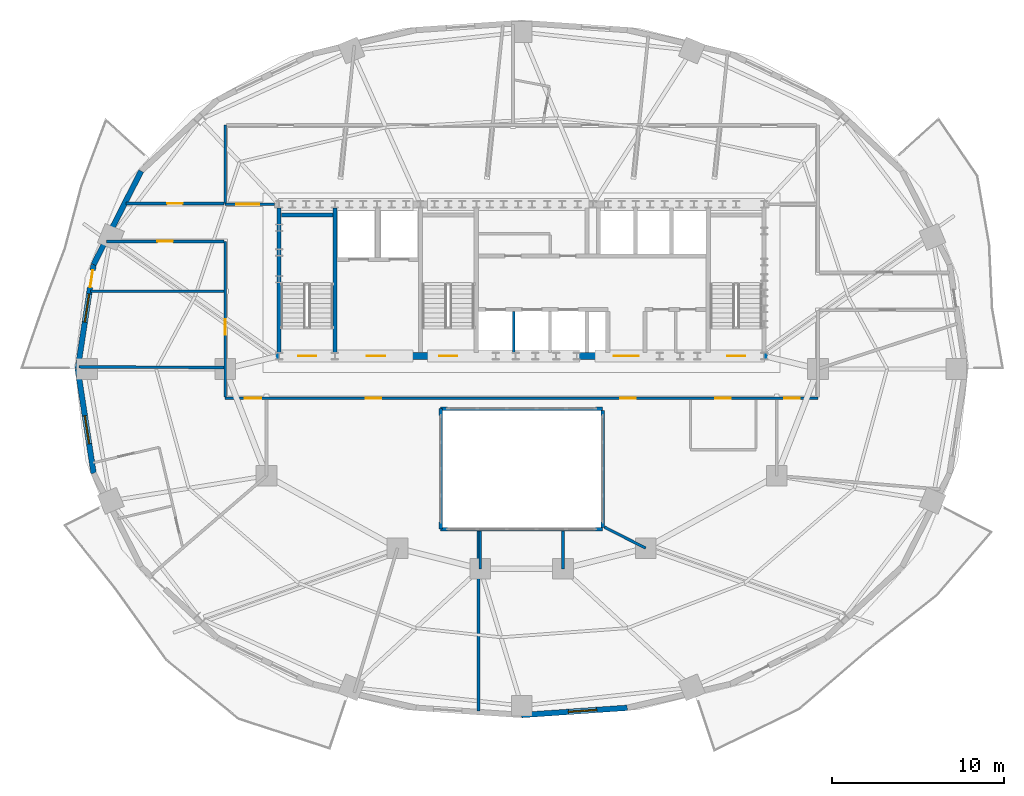
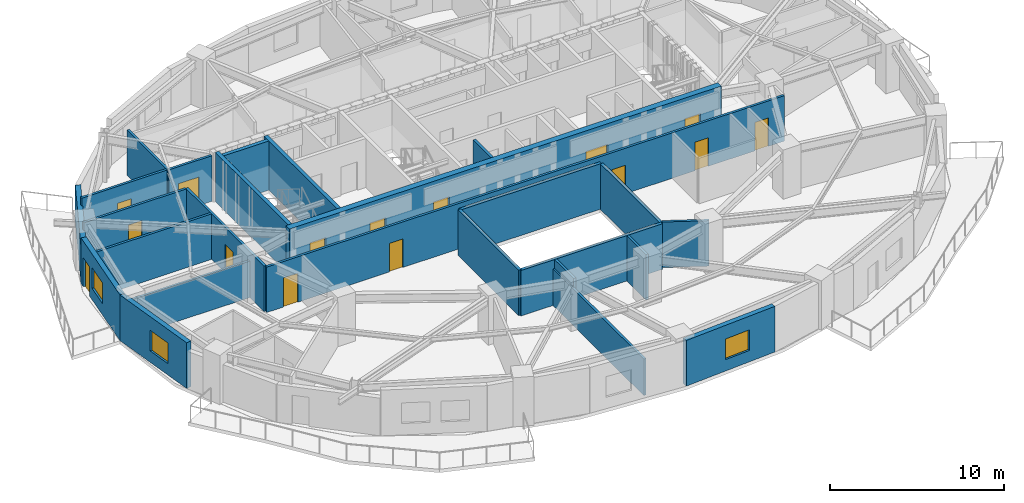
# One storey, part 6 of 13: 25 walls, 15 doors, 3 windows, 18 openings.
"""IFC4 building model written with IfcOpenShell, lengths in metres."""

from ifc_helpers import new_model, si_unit, direction, frame, frame_2d, origin, place, context, subcontext, project, spatial, rectangle, extrude, material, layer, layer_set, type_object, element, fill, save


model = new_model("IFC4")

# Units and contexts
model_context = context("Model", 3, precision=1e-05, world=origin(), true_north=direction((0.0, 1.0)))
body_context = subcontext(model_context, "Body", "Model", "MODEL_VIEW")
ifc_project = project(units=[si_unit("LENGTHUNIT", "METRE"), si_unit("AREAUNIT", "SQUARE_METRE"), si_unit("VOLUMEUNIT", "CUBIC_METRE"), si_unit("PLANEANGLEUNIT", "RADIAN"), si_unit("MASSUNIT", "GRAM", prefix="KILO")], contexts=[model_context])

# Site, building, storey
site_placement = place(None, origin())
site = spatial("IfcSite", under=ifc_project, at=site_placement, CompositionType="ELEMENT")
building_placement = place(site_placement, origin())
building = spatial("IfcBuilding", under=site, at=building_placement, Name="Haldorwick Loom Tower", CompositionType="ELEMENT")
storey_placement = place(building_placement, frame((0.0, 0.0, 178.60009765625)))
storey = spatial("IfcBuildingStorey", under=building, at=storey_placement, Name="L48", CompositionType="ELEMENT", Elevation=178.60009765625)

# Wall
ifc_material_1 = material(Name="Pressed Clay Face Brick and Insulated Masonry Backup Assembly", Category="masonry")
ifc_layer_1 = layer(ifc_material_1, 0.320068359375, Name="Pressed Clay Face Brick and Insulated Masonry Backup Assembly", Category="masonry")
ifc_layer_set_1 = layer_set([ifc_layer_1], Name="Pressed Clay Face Brick and Insulated Masonry Backup Assembly")
wall_type_1 = type_object("IfcWallType", Name="ARC-WL-EXT320", PredefinedType="STANDARD", material=ifc_layer_set_1)
wall_1_placement = place(storey_placement, frame((13.92333984375, 37.481201171875, 0.0), z_axis=(0.0, 0.0, 1.0), x_axis=(-0.453172129629, -0.89142303141, 0.0)))
element("IfcWall", 1, at=wall_1_placement, inside=storey, type_object=wall_type_1, Name="L48 Brick Pier and Spandrel Wall 11", PredefinedType="STANDARD", context=body_context, shape_type="SweptSolid", body=[
    extrude(rectangle(XDim=6.086669921875, YDim=0.320068359375, at=frame_2d((3.04345703125, 0.0))), origin(), (0.0, 0.0, 1.0), 2.640869140625),
])

# Wall, openings, door, window
wall_2_placement = place(storey_placement, frame((11.1650390625, 32.055419921875, 0.0), z_axis=(0.0, 0.0, 1.0), x_axis=(-0.150544467684, -0.988603238539, 0.0)))
wall_2 = element("IfcWall", 2, at=wall_2_placement, inside=storey, type_object=wall_type_1, Name="L48 Brick Pier and Spandrel Wall 12", PredefinedType="STANDARD", context=body_context, shape_type="SweptSolid", body=[
    extrude(rectangle(XDim=6.125244140625, YDim=0.320068359375, at=frame_2d((3.0625, 0.0))), origin(), (0.0, 0.0, 1.0), 3.2099609375),
])
opening_1_placement = place(wall_2_placement, frame((0.340087890625, 0.0, 0.0)))
opening_1 = element("IfcOpeningElement", 3, at=opening_1_placement, cuts=wall_2, Name="Opening D-BL10", PredefinedType="OPENING", context=body_context, shape_type="SweptSolid", body=[
    extrude(rectangle(XDim=1.0, YDim=2.0400390625, at=frame_2d((0.5, 1.02001953125))), frame((0.0, 0.169921875, 0.0), z_axis=(0.0, -1.0, 0.0), x_axis=(1.0, 0.0, 0.0)), (0.0, 0.0, 1.0), 0.340087890625),
])
opening_2_placement = place(wall_2_placement, frame((1.7255859375, 0.0, 0.800048828125)))
opening_2 = element("IfcOpeningElement", 4, at=opening_2_placement, cuts=wall_2, Name="Opening W-01B", PredefinedType="OPENING", context=body_context, shape_type="SweptSolid", body=[
    extrude(rectangle(XDim=1.64990234375, YDim=1.449951171875, at=frame_2d((0.824951171875, 0.72509765625))), frame((0.0, 0.169921875, 0.0), z_axis=(0.0, -1.0, 0.0), x_axis=(1.0, 0.0, 0.0)), (0.0, 0.0, 1.0), 0.340087890625),
])
ifc_material_2 = material(Name="Thermally Broken Anodized Aluminium Curtain Wall Framing", Category="aluminium")
door_type_1 = type_object("IfcDoorType", Name="ARC-DR-BAL100", OperationType="NOTDEFINED", PredefinedType="DOOR", material=ifc_material_2)
door_1_placement = place(opening_1_placement, origin())
door_1 = element("IfcDoor", 5, at=door_1_placement, inside=storey, type_object=door_type_1, Name="L48 Outdoor Terrace Door SLB-L48-BAL_WNW", OperationType="SINGLE_SWING_RIGHT", OverallHeight=2.0400390625, OverallWidth=1.0, PredefinedType="DOOR", context=body_context, shape_type="SweptSolid", body=[
    extrude(rectangle(XDim=1.0, YDim=2.0400390625, at=frame_2d((0.5, 1.02001953125))), frame((0.0, 0.02490234375, 0.0), z_axis=(0.0, -1.0, 0.0), x_axis=(1.0, 0.0, 0.0)), (0.0, 0.0, 1.0), 0.050048828125),
])
fill(opening_1, door_1)
ifc_material_3 = material(Name="Triple-Glazed Low-E Argon Insulated Glazing Unit", Category="glass")
window_type = type_object("IfcWindowType", Name="ARC-WIN-W165", PartitioningType="SINGLE_PANEL", PredefinedType="WINDOW", material=ifc_material_3)
window_1_placement = place(opening_2_placement, origin())
window_1 = element("IfcWindow", 6, at=window_1_placement, inside=storey, type_object=window_type, Name="L48 Deep-Set Zone 7A Window 12", OverallHeight=1.449951171875, OverallWidth=1.64990234375, PartitioningType="SINGLE_PANEL", PredefinedType="WINDOW", context=body_context, shape_type="SweptSolid", body=[
    extrude(rectangle(XDim=1.64990234375, YDim=1.449951171875, at=frame_2d((0.824951171875, 0.72509765625))), frame((0.0, 0.030029296875, 0.0), z_axis=(0.0, -1.0, 0.0), x_axis=(1.0, 0.0, 0.0)), (0.0, 0.0, 1.0), 0.06005859375),
])
fill(opening_2, window_1)

# Wall, opening, window
wall_3_placement = place(storey_placement, frame((10.242919921875, 26.0, 0.0), z_axis=(0.0, 0.0, 1.0), x_axis=(0.150544467684, -0.988603238539, 0.0)))
wall_3 = element("IfcWall", 7, at=wall_3_placement, inside=storey, type_object=wall_type_1, Name="L48 Brick Pier and Spandrel Wall 13", PredefinedType="STANDARD", context=body_context, shape_type="SweptSolid", body=[
    extrude(rectangle(XDim=6.125244140625, YDim=0.320068359375, at=frame_2d((3.0625, 0.0))), origin(), (0.0, 0.0, 1.0), 3.2099609375),
])
opening_3_placement = place(wall_3_placement, frame((2.749755859375, 0.0, 0.800048828125)))
opening_3 = element("IfcOpeningElement", 8, at=opening_3_placement, cuts=wall_3, Name="Opening W-01B", PredefinedType="OPENING", context=body_context, shape_type="SweptSolid", body=[
    extrude(rectangle(XDim=1.64990234375, YDim=1.449951171875, at=frame_2d((0.824951171875, 0.72509765625))), frame((0.0, 0.169921875, 0.0), z_axis=(0.0, -1.0, 0.0), x_axis=(1.0, 0.0, 0.0)), (0.0, 0.0, 1.0), 0.340087890625),
])
window_2_placement = place(opening_3_placement, origin())
window_2 = element("IfcWindow", 9, at=window_2_placement, inside=storey, type_object=window_type, Name="L48 Deep-Set Zone 7A Window 13", OverallHeight=1.449951171875, OverallWidth=1.64990234375, PartitioningType="SINGLE_PANEL", PredefinedType="WINDOW", context=body_context, shape_type="SweptSolid", body=[
    extrude(rectangle(XDim=1.64990234375, YDim=1.449951171875, at=frame_2d((0.824951171875, 0.72509765625))), frame((0.0, 0.030029296875, 0.0), z_axis=(0.0, -1.0, 0.0), x_axis=(1.0, 0.0, 0.0)), (0.0, 0.0, 1.0), 0.06005859375),
])
fill(opening_3, window_2)

wall_4_placement = place(storey_placement, frame((36.0, 5.915283203125, 0.0), z_axis=(0.0, 0.0, 1.0), x_axis=(0.997652942988, 0.068473391522, 0.0)))
wall_4 = element("IfcWall", 10, at=wall_4_placement, inside=storey, type_object=wall_type_1, Name="L48 Brick Pier and Spandrel Wall 19", PredefinedType="STANDARD", context=body_context, shape_type="SweptSolid", body=[
    extrude(rectangle(XDim=6.143310546875, YDim=0.320068359375, at=frame_2d((3.07177734375, 0.0))), origin(), (0.0, 0.0, 1.0), 3.2099609375),
])
opening_4_placement = place(wall_4_placement, frame((2.723388671875, 0.0, 0.800048828125)))
opening_4 = element("IfcOpeningElement", 11, at=opening_4_placement, cuts=wall_4, Name="Opening W-01B", PredefinedType="OPENING", context=body_context, shape_type="SweptSolid", body=[
    extrude(rectangle(XDim=1.64990234375, YDim=1.449951171875, at=frame_2d((0.824951171875, 0.72509765625))), frame((0.0, 0.169921875, 0.0), z_axis=(0.0, -1.0, 0.0), x_axis=(1.0, 0.0, 0.0)), (0.0, 0.0, 1.0), 0.340087890625),
])
window_3_placement = place(opening_4_placement, origin())
window_3 = element("IfcWindow", 12, at=window_3_placement, inside=storey, type_object=window_type, Name="L48 Deep-Set Zone 7A Window 19", OverallHeight=1.449951171875, OverallWidth=1.64990234375, PartitioningType="SINGLE_PANEL", PredefinedType="WINDOW", context=body_context, shape_type="SweptSolid", body=[
    extrude(rectangle(XDim=1.64990234375, YDim=1.449951171875, at=frame_2d((0.824951171875, 0.72509765625))), frame((0.0, 0.030029296875, 0.0), z_axis=(0.0, -1.0, 0.0), x_axis=(1.0, 0.0, 0.0)), (0.0, 0.0, 1.0), 0.06005859375),
])
fill(opening_4, window_3)

# Wall, openings, doors
ifc_material_4 = material(Name="Fire-Rated Type X Gypsum Stud Assembly EI 60")
ifc_layer_2 = layer(ifc_material_4, 0.159912109375, Name="Fire-Rated Type X Gypsum Stud Assembly EI 60")
ifc_layer_set_2 = layer_set([ifc_layer_2], Name="Fire-Rated Type X Gypsum Stud Assembly EI 60")
wall_type_2 = type_object("IfcWallType", Name="ARC-WL-FIRE160", PredefinedType="PARTITIONING", material=ifc_layer_set_2)
wall_5_placement = place(storey_placement, frame((18.800048828125, 24.300048828125, 0.0), z_axis=(0.0, 0.0, 1.0), x_axis=(1.0, 0.0, 0.0)))
wall_5 = element("IfcWall", 13, at=wall_5_placement, inside=storey, type_object=wall_type_2, Name="L48 Residential Fire Partition L48-CR-SP", PredefinedType="PARTITIONING", context=body_context, shape_type="SweptSolid", body=[
    extrude(rectangle(XDim=34.39990234375, YDim=0.159912109375, at=frame_2d((17.199951171875, 0.0))), origin(), (0.0, 0.0, 1.0), 3.19482421875),
])
opening_5_placement = place(wall_5_placement, frame((22.92431640625, 0.0, 0.0)))
opening_5 = element("IfcOpeningElement", 14, at=opening_5_placement, cuts=wall_5, Name="Opening D-FD60A", PredefinedType="OPENING", context=body_context, shape_type="SweptSolid", body=[
    extrude(rectangle(XDim=0.89990234375, YDim=2.0, at=frame_2d((0.449951171875, 1.0))), frame((0.0, 0.08984375, 0.0), z_axis=(0.0, -1.0, 0.0), x_axis=(1.0, 0.0, 0.0)), (0.0, 0.0, 1.0), 0.179931640625),
])
opening_6_placement = place(wall_5_placement, frame((8.14990234375, 0.0, 0.0)))
opening_6 = element("IfcOpeningElement", 15, at=opening_6_placement, cuts=wall_5, Name="Opening D-FD60A", PredefinedType="OPENING", context=body_context, shape_type="SweptSolid", body=[
    extrude(rectangle(XDim=0.89990234375, YDim=2.0, at=frame_2d((0.449951171875, 1.0))), frame((0.0, 0.08984375, 0.0), z_axis=(0.0, -1.0, 0.0), x_axis=(1.0, 0.0, 0.0)), (0.0, 0.0, 1.0), 0.179931640625),
])
opening_7_placement = place(wall_5_placement, frame((28.437255859375, 0.0, 0.0)))
opening_7 = element("IfcOpeningElement", 16, at=opening_7_placement, cuts=wall_5, Name="Opening D-FD60A", PredefinedType="OPENING", context=body_context, shape_type="SweptSolid", body=[
    extrude(rectangle(XDim=0.89990234375, YDim=2.0, at=frame_2d((0.449951171875, 1.0))), frame((0.0, 0.08984375, 0.0), z_axis=(0.0, -1.0, 0.0), x_axis=(1.0, 0.0, 0.0)), (0.0, 0.0, 1.0), 0.179931640625),
])
opening_8_placement = place(wall_5_placement, frame((1.130859375, 0.0, 0.0)))
opening_8 = element("IfcOpeningElement", 17, at=opening_8_placement, cuts=wall_5, Name="Opening D-FL95", PredefinedType="OPENING", context=body_context, shape_type="SweptSolid", body=[
    extrude(rectangle(XDim=0.949951171875, YDim=2.0400390625, at=frame_2d((0.47509765625, 1.02001953125))), frame((0.0, 0.08984375, 0.0), z_axis=(0.0, -1.0, 0.0), x_axis=(1.0, 0.0, 0.0)), (0.0, 0.0, 1.0), 0.179931640625),
])
opening_9_placement = place(wall_5_placement, frame((32.436767578125, 0.0, 0.0)))
opening_9 = element("IfcOpeningElement", 18, at=opening_9_placement, cuts=wall_5, Name="Opening D-FD60A", PredefinedType="OPENING", context=body_context, shape_type="SweptSolid", body=[
    extrude(rectangle(XDim=0.89990234375, YDim=2.0, at=frame_2d((0.449951171875, 1.0))), frame((0.0, 0.08984375, 0.0), z_axis=(0.0, -1.0, 0.0), x_axis=(1.0, 0.0, 0.0)), (0.0, 0.0, 1.0), 0.179931640625),
])
ifc_material_5 = material(Name="Hollow Steel Fire Door Assembly", Category="steel")
door_type_2 = type_object("IfcDoorType", Name="ARC-DR-FD60-90", OperationType="NOTDEFINED", PredefinedType="DOOR", material=ifc_material_5)
door_2_placement = place(opening_5_placement, origin())
door_2 = element("IfcDoor", 19, at=door_2_placement, inside=storey, type_object=door_type_2, Name="L48 L48 Central Residential Corridor to Community Library Hall 1 Door", OperationType="SINGLE_SWING_LEFT", OverallHeight=2.0, OverallWidth=0.89990234375, PredefinedType="DOOR", context=body_context, shape_type="SweptSolid", body=[
    extrude(rectangle(XDim=0.89990234375, YDim=2.0, at=frame_2d((0.449951171875, 1.0))), frame((0.0, 0.02490234375, 0.0), z_axis=(0.0, -1.0, 0.0), x_axis=(1.0, 0.0, 0.0)), (0.0, 0.0, 1.0), 0.050048828125),
])
fill(opening_5, door_2)
door_3_placement = place(opening_6_placement, origin())
door_3 = element("IfcDoor", 20, at=door_3_placement, inside=storey, type_object=door_type_2, Name="L48 L48 Central Residential Corridor to Community Library Hall 2 Door", OperationType="SINGLE_SWING_RIGHT", OverallHeight=2.0, OverallWidth=0.89990234375, PredefinedType="DOOR", context=body_context, shape_type="SweptSolid", body=[
    extrude(rectangle(XDim=0.89990234375, YDim=2.0, at=frame_2d((0.449951171875, 1.0))), frame((0.0, 0.02490234375, 0.0), z_axis=(0.0, -1.0, 0.0), x_axis=(1.0, 0.0, 0.0)), (0.0, 0.0, 1.0), 0.050048828125),
])
fill(opening_6, door_3)
door_4_placement = place(opening_7_placement, origin())
door_4 = element("IfcDoor", 21, at=door_4_placement, inside=storey, type_object=door_type_2, Name="L48 L48 Central Residential Corridor to Common Accessible WC Door", OperationType="SINGLE_SWING_LEFT", OverallHeight=2.0, OverallWidth=0.89990234375, PredefinedType="DOOR", context=body_context, shape_type="SweptSolid", body=[
    extrude(rectangle(XDim=0.89990234375, YDim=2.0, at=frame_2d((0.449951171875, 1.0))), frame((0.0, 0.02490234375, 0.0), z_axis=(0.0, -1.0, 0.0), x_axis=(1.0, 0.0, 0.0)), (0.0, 0.0, 1.0), 0.050048828125),
])
fill(opening_7, door_4)
door_5_placement = place(opening_9_placement, origin())
door_5 = element("IfcDoor", 22, at=door_5_placement, inside=storey, type_object=door_type_2, Name="L48 L48 Central Residential Corridor to Craft Hobby Hall 2 Door", OperationType="SINGLE_SWING_LEFT", OverallHeight=2.0, OverallWidth=0.89990234375, PredefinedType="DOOR", context=body_context, shape_type="SweptSolid", body=[
    extrude(rectangle(XDim=0.89990234375, YDim=2.0, at=frame_2d((0.449951171875, 1.0))), frame((0.0, 0.02490234375, 0.0), z_axis=(0.0, -1.0, 0.0), x_axis=(1.0, 0.0, 0.0)), (0.0, 0.0, 1.0), 0.050048828125),
])
fill(opening_9, door_5)
ifc_material_6 = material(Name="Solid Core Birch Architectural Door")
door_type_3 = type_object("IfcDoorType", Name="ARC-DR-FLAT95", OperationType="NOTDEFINED", PredefinedType="DOOR", material=ifc_material_6)
door_6_placement = place(opening_8_placement, origin())
door_6 = element("IfcDoor", 23, at=door_6_placement, inside=storey, type_object=door_type_3, Name="L48 L48 Central Residential Corridor to Unit 48E Kitchen and Living Room", OperationType="SINGLE_SWING_RIGHT", OverallHeight=2.0400390625, OverallWidth=0.949951171875, PredefinedType="DOOR", context=body_context, shape_type="SweptSolid", body=[
    extrude(rectangle(XDim=0.949951171875, YDim=2.0400390625, at=frame_2d((0.47509765625, 1.02001953125))), frame((0.0, 0.02490234375, 0.0), z_axis=(0.0, -1.0, 0.0), x_axis=(1.0, 0.0, 0.0)), (0.0, 0.0, 1.0), 0.050048828125),
])
fill(opening_8, door_6)

# Wall, opening, door
wall_6_placement = place(storey_placement, frame((18.800048828125, 24.383056640625, 0.0), z_axis=(0.0, 0.0, 1.0), x_axis=(0.0, 1.0, 0.0)))
wall_6 = element("IfcWall", 24, at=wall_6_placement, inside=storey, type_object=wall_type_2, Name="L48 Residential Fire Partition L48-CR-W0A", PredefinedType="PARTITIONING", context=body_context, shape_type="SweptSolid", body=[
    extrude(rectangle(XDim=9.016845703125, YDim=0.159912109375, at=frame_2d((4.50830078125, 0.0))), origin(), (0.0, 0.0, 1.0), 3.19482421875),
])
opening_10_placement = place(wall_6_placement, frame((3.584716796875, 0.0, 0.0)))
opening_10 = element("IfcOpeningElement", 25, at=opening_10_placement, cuts=wall_6, Name="Opening D-FD60A", PredefinedType="OPENING", context=body_context, shape_type="SweptSolid", body=[
    extrude(rectangle(XDim=0.89990234375, YDim=2.0, at=frame_2d((0.449951171875, 1.0))), frame((0.0, 0.08984375, 0.0), z_axis=(0.0, -1.0, 0.0), x_axis=(1.0, 0.0, 0.0)), (0.0, 0.0, 1.0), 0.179931640625),
])
door_7_placement = place(opening_10_placement, frame((0.89990234375, 0.0, 0.0), z_axis=(0.0, 0.0, 1.0), x_axis=(-1.0, 0.0, 0.0)))
door_7 = element("IfcDoor", 26, at=door_7_placement, inside=storey, type_object=door_type_2, Name="L48 Youth Club Hall 1 to L48 Central Residential Corridor Door", OperationType="SINGLE_SWING_RIGHT", OverallHeight=2.0, OverallWidth=0.89990234375, PredefinedType="DOOR", context=body_context, shape_type="SweptSolid", body=[
    extrude(rectangle(XDim=0.89990234375, YDim=2.0, at=frame_2d((0.449951171875, 1.0))), frame((0.0, 0.02490234375, 0.0), z_axis=(0.0, -1.0, 0.0), x_axis=(1.0, 0.0, 0.0)), (0.0, 0.0, 1.0), 0.050048828125),
])
fill(opening_10, door_7)

# Wall
wall_7_placement = place(storey_placement, frame((18.800048828125, 35.60009765625, 0.0), z_axis=(0.0, 0.0, 1.0), x_axis=(0.0, 1.0, 0.0)))
element("IfcWall", 27, at=wall_7_placement, inside=storey, type_object=wall_type_2, Name="L48 Residential Fire Partition L48-CR-W0B", PredefinedType="PARTITIONING", context=body_context, shape_type="SweptSolid", body=[
    extrude(rectangle(XDim=4.5498046875, YDim=0.159912109375, at=frame_2d((2.27490234375, 0.0))), origin(), (0.0, 0.0, 1.0), 3.19482421875),
])

# Wall, opening, door
wall_8_placement = place(storey_placement, frame((11.921630859375, 33.39990234375, 0.0), z_axis=(0.0, 0.0, 1.0), x_axis=(1.0, 0.0, 0.0)))
wall_8 = element("IfcWall", 28, at=wall_8_placement, inside=storey, type_object=wall_type_2, Name="L48 Residential Fire Partition L48-CR-GW0", PredefinedType="PARTITIONING", context=body_context, shape_type="SweptSolid", body=[
    extrude(rectangle(XDim=6.79541015625, YDim=0.159912109375, at=frame_2d((3.397705078125, 0.0))), origin(), (0.0, 0.0, 1.0), 3.19482421875),
])
opening_11_placement = place(wall_8_placement, frame((2.94775390625, 0.0, 0.0)))
opening_11 = element("IfcOpeningElement", 29, at=opening_11_placement, cuts=wall_8, Name="Opening D-FD60A", PredefinedType="OPENING", context=body_context, shape_type="SweptSolid", body=[
    extrude(rectangle(XDim=0.89990234375, YDim=2.0, at=frame_2d((0.449951171875, 1.0))), frame((0.0, 0.08984375, 0.0), z_axis=(0.0, -1.0, 0.0), x_axis=(1.0, 0.0, 0.0)), (0.0, 0.0, 1.0), 0.179931640625),
])
door_8_placement = place(opening_11_placement, frame((0.89990234375, 0.0, 0.0), z_axis=(0.0, 0.0, 1.0), x_axis=(-1.0, 0.0, 0.0)))
door_8 = element("IfcDoor", 30, at=door_8_placement, inside=storey, type_object=door_type_2, Name="L48 L48 Central Residential Corridor to Remote Work Office 6 Door", OperationType="SINGLE_SWING_LEFT", OverallHeight=2.0, OverallWidth=0.89990234375, PredefinedType="DOOR", context=body_context, shape_type="SweptSolid", body=[
    extrude(rectangle(XDim=0.89990234375, YDim=2.0, at=frame_2d((0.449951171875, 1.0))), frame((0.0, 0.02490234375, 0.0), z_axis=(0.0, -1.0, 0.0), x_axis=(1.0, 0.0, 0.0)), (0.0, 0.0, 1.0), 0.050048828125),
])
fill(opening_11, door_8)

wall_9_placement = place(storey_placement, frame((13.039794921875, 35.60009765625, 0.0), z_axis=(0.0, 0.0, 1.0), x_axis=(1.0, 0.0, 0.0)))
wall_9 = element("IfcWall", 31, at=wall_9_placement, inside=storey, type_object=wall_type_2, Name="L48 Residential Fire Partition L48-CR-GW1", PredefinedType="PARTITIONING", context=body_context, shape_type="SweptSolid", body=[
    extrude(rectangle(XDim=5.67724609375, YDim=0.159912109375, at=frame_2d((2.838623046875, 0.0))), origin(), (0.0, 0.0, 1.0), 3.19482421875),
])
opening_12_placement = place(wall_9_placement, frame((2.388427734375, 0.0, 0.0)))
opening_12 = element("IfcOpeningElement", 32, at=opening_12_placement, cuts=wall_9, Name="Opening D-FD60A", PredefinedType="OPENING", context=body_context, shape_type="SweptSolid", body=[
    extrude(rectangle(XDim=0.89990234375, YDim=2.0, at=frame_2d((0.449951171875, 1.0))), frame((0.0, 0.08984375, 0.0), z_axis=(0.0, -1.0, 0.0), x_axis=(1.0, 0.0, 0.0)), (0.0, 0.0, 1.0), 0.179931640625),
])
door_9_placement = place(opening_12_placement, frame((0.89990234375, 0.0, 0.0), z_axis=(0.0, 0.0, 1.0), x_axis=(-1.0, 0.0, 0.0)))
door_9 = element("IfcDoor", 33, at=door_9_placement, inside=storey, type_object=door_type_2, Name="L48 Community Library Hall 2 to L48 Central Residential Corridor Door", OperationType="SINGLE_SWING_RIGHT", OverallHeight=2.0, OverallWidth=0.89990234375, PredefinedType="DOOR", context=body_context, shape_type="SweptSolid", body=[
    extrude(rectangle(XDim=0.89990234375, YDim=2.0, at=frame_2d((0.449951171875, 1.0))), frame((0.0, 0.02490234375, 0.0), z_axis=(0.0, -1.0, 0.0), x_axis=(1.0, 0.0, 0.0)), (0.0, 0.0, 1.0), 0.050048828125),
])
fill(opening_12, door_9)

wall_10_placement = place(storey_placement, frame((18.800048828125, 35.550048828125, 0.0), z_axis=(0.0, 0.0, 1.0), x_axis=(1.0, 0.0, 0.0)))
wall_10 = element("IfcWall", 34, at=wall_10_placement, inside=storey, type_object=wall_type_2, Name="L48 Residential Fire Partition L48-CR-WNC", PredefinedType="PARTITIONING", context=body_context, shape_type="SweptSolid", body=[
    extrude(rectangle(XDim=2.849853515625, YDim=0.159912109375, at=frame_2d((1.4248046875, 0.0))), origin(), (0.0, 0.0, 1.0), 3.19482421875),
])
opening_13_placement = place(wall_10_placement, frame((0.6328125, 0.0, 0.0)))
opening_13 = element("IfcOpeningElement", 35, at=opening_13_placement, cuts=wall_10, Name="Opening D-CR15", PredefinedType="OPENING", context=body_context, shape_type="SweptSolid", body=[
    extrude(rectangle(XDim=1.35009765625, YDim=2.0, at=frame_2d((0.675048828125, 1.0))), frame((0.0, 0.08984375, 0.0), z_axis=(0.0, -1.0, 0.0), x_axis=(1.0, 0.0, 0.0)), (0.0, 0.0, 1.0), 0.179931640625),
])
ifc_material_7 = material(Name="Thermally Broken Anodized Aluminium and Tempered Glass", Category="aluminium")
door_type_4 = type_object("IfcDoorType", Name="ARC-DR-COR150", OperationType="NOTDEFINED", PredefinedType="DOOR", material=ifc_material_7)
door_10_placement = place(opening_13_placement, origin())
door_10 = element("IfcDoor", 36, at=door_10_placement, inside=storey, type_object=door_type_4, Name="L48 L48 North Residential Corridor to L48 Central Residential Corridor D", OperationType="DOUBLE_DOOR_SINGLE_SWING", OverallHeight=2.0, OverallWidth=1.35009765625, PredefinedType="DOOR", context=body_context, shape_type="SweptSolid", body=[
    extrude(rectangle(XDim=1.35009765625, YDim=2.0, at=frame_2d((0.675048828125, 1.0))), frame((0.0, 0.02490234375, 0.0), z_axis=(0.0, -1.0, 0.0), x_axis=(1.0, 0.0, 0.0)), (0.0, 0.0, 1.0), 0.050048828125),
])
fill(opening_13, door_10)

# Walls
wall_11_placement = place(storey_placement, frame((33.5, 6.152099609375, 0.0), z_axis=(0.0, 0.0, 1.0), x_axis=(0.0, 1.0, 0.0)))
element("IfcWall", 37, at=wall_11_placement, inside=storey, type_object=wall_type_2, Name="L48 Residential Fire Partition L48-SBP-0", PredefinedType="PARTITIONING", context=body_context, shape_type="SweptSolid", body=[
    extrude(rectangle(XDim=10.44482421875, YDim=0.159912109375, at=frame_2d((5.222412109375, 0.0))), origin(), (0.0, 0.0, 1.0), 2.56787109375),
])
wall_12_placement = place(storey_placement, frame((40.802978515625, 16.822021484375, 0.0), z_axis=(0.0, 0.0, 1.0), x_axis=(0.890915506237, -0.454169088278, 0.0)))
element("IfcWall", 38, at=wall_12_placement, inside=storey, type_object=wall_type_2, Name="L48 Residential Fire Partition L48-ICA-04", PredefinedType="PARTITIONING", context=body_context, shape_type="SweptSolid", body=[
    extrude(rectangle(XDim=2.6904296875, YDim=0.159912109375, at=frame_2d((1.34521484375, 0.0))), origin(), (0.0, 0.0, 1.0), 3.19482421875),
])
for number, where, z_axis, x_axis, name in (
    (39, (38.39990234375, 16.596923828125, 0.0), (0.0, 0.0, 1.0), (0.0, -1.0, 0.0), "L48 Residential Fire Partition L48-ICA-05"),
    (40, (33.60009765625, 16.596923828125, 0.0), (0.0, 0.0, 1.0), (0.0, -1.0, 0.0), "L48 Residential Fire Partition L48-ICA-06"),
):
    element("IfcWall", number, at=place(storey_placement, frame(where, z_axis=z_axis, x_axis=x_axis)), inside=storey, type_object=wall_type_2, Name=name, PredefinedType="PARTITIONING", context=body_context, shape_type="SweptSolid", body=[
        extrude(rectangle(XDim=2.197021484375, YDim=0.159912109375, at=frame_2d((1.0986328125, 0.0))), origin(), (0.0, 0.0, 1.0), 3.19482421875),
    ])
wall_13_placement = place(storey_placement, frame((10.993896484375, 30.5, 0.0), z_axis=(0.0, 0.0, 1.0), x_axis=(1.0, 0.0, 0.0)))
element("IfcWall", 41, at=wall_13_placement, inside=storey, type_object=wall_type_2, Name="L48 Residential Fire Partition L48-FLW-15", PredefinedType="PARTITIONING", context=body_context, shape_type="SweptSolid", body=[
    extrude(rectangle(XDim=7.72314453125, YDim=0.159912109375, at=frame_2d((3.861572265625, 0.0))), origin(), (0.0, 0.0, 1.0), 3.19482421875),
])
wall_14_placement = place(storey_placement, frame((18.717041015625, 26.079833984375, 0.0), z_axis=(0.0, 0.0, 1.0), x_axis=(-0.999989297153, 0.004626616372, 0.0)))
element("IfcWall", 42, at=wall_14_placement, inside=storey, type_object=wall_type_2, Name="L48 Suite Split Wall", PredefinedType="PARTITIONING", context=body_context, shape_type="SweptSolid", body=[
    extrude(rectangle(XDim=8.39013671875, YDim=0.159912109375, at=frame_2d((4.195068359375, 0.0))), origin(), (0.0, 0.0, 1.0), 2.56787109375),
])
ifc_material_8 = material(Name="Fire-Rated Type X Gypsum Stud Assembly EI 120")
ifc_layer_3 = layer(ifc_material_8, 0.199951171875, Name="Fire-Rated Type X Gypsum Stud Assembly EI 120")
ifc_layer_set_3 = layer_set([ifc_layer_3], Name="Fire-Rated Type X Gypsum Stud Assembly EI 120")
wall_type_3 = type_object("IfcWallType", Name="ARC-WL-FIRE200", PredefinedType="PARTITIONING", material=ifc_layer_set_3)
for number, where, z_axis, x_axis, name in (
    (43, (31.300048828125, 23.699951171875, 0.0), (0.0, 0.0, 1.0), (1.0, 0.0, 0.0), "L48 Atrium Fire Enclosure Wall N"),
    (44, (40.699951171875, 16.699951171875, 0.0), (0.0, 0.0, 1.0), (-1.0, 0.0, 0.0), "L48 Atrium Fire Enclosure Wall S"),
):
    element("IfcWall", number, at=place(storey_placement, frame(where, z_axis=z_axis, x_axis=x_axis)), inside=storey, type_object=wall_type_3, Name=name, PredefinedType="PARTITIONING", context=body_context, shape_type="SweptSolid", body=[
        extrude(rectangle(XDim=9.39990234375, YDim=0.199951171875, at=frame_2d((4.699951171875, 0.0))), origin(), (0.0, 0.0, 1.0), 3.19482421875),
    ])
wall_15_placement = place(storey_placement, frame((31.300048828125, 16.699951171875, 0.0), z_axis=(0.0, 0.0, 1.0), x_axis=(0.0, 1.0, 0.0)))
element("IfcWall", 45, at=wall_15_placement, inside=storey, type_object=wall_type_3, Name="L48 Atrium Fire Enclosure Wall W", PredefinedType="PARTITIONING", context=body_context, shape_type="SweptSolid", body=[
    extrude(rectangle(XDim=7.0, YDim=0.199951171875, at=frame_2d((3.5, 0.0))), origin(), (0.0, 0.0, 1.0), 3.19482421875),
])
wall_16_placement = place(storey_placement, frame((40.699951171875, 23.596923828125, 0.0), z_axis=(0.0, 0.0, 1.0), x_axis=(0.0, -1.0, 0.0)))
element("IfcWall", 46, at=wall_16_placement, inside=storey, type_object=wall_type_3, Name="L48 Atrium Fire Enclosure Wall E", PredefinedType="PARTITIONING", context=body_context, shape_type="SweptSolid", body=[
    extrude(rectangle(XDim=6.7939453125, YDim=0.199951171875, at=frame_2d((3.39697265625, 0.0))), origin(), (0.0, 0.0, 1.0), 3.19482421875),
])
ifc_layer_4 = layer(ifc_material_8, 0.1650390625, Name="Fire-Rated Type X Gypsum Stud Assembly EI 120")
ifc_layer_set_4 = layer_set([ifc_layer_4], Name="Fire-Rated Type X Gypsum Stud Assembly EI 120")
wall_type_4 = type_object("IfcWallType", Name="ARC-WL-SHAFT160", PredefinedType="MOVABLE", material=ifc_layer_set_4)
wall_17_placement = place(storey_placement, frame((35.550048828125, 26.952880859375, 0.0), z_axis=(0.0, 0.0, 1.0), x_axis=(0.0, 1.0, 0.0)))
element("IfcWall", 47, at=wall_17_placement, inside=storey, type_object=wall_type_4, Name="L48 Mid-Rise Hoistway Divider 1", PredefinedType="MOVABLE", context=body_context, shape_type="SweptSolid", body=[
    extrude(rectangle(XDim=2.3740234375, YDim=0.159912109375, at=frame_2d((1.18701171875, 0.0))), origin(), (0.0, 0.0, 1.0), 3.19482421875),
])

# Wall, openings, doors
ifc_material_9 = material(Name="Concrete C50 (50 MPa)", Category="concrete")
ifc_layer_5 = layer(ifc_material_9, 0.39990234375, Name="Concrete C50 (50 MPa)", Category="concrete")
ifc_layer_set_5 = layer_set([ifc_layer_5], Name="Concrete C50 (50 MPa)")
wall_type_5 = type_object("IfcWallType", Name="STR-WL-CORE400", PredefinedType="SHEAR", material=ifc_layer_set_5)
wall_18_placement = place(storey_placement, frame((21.64990234375, 26.75, 0.0), z_axis=(0.0, 0.0, 1.0), x_axis=(1.0, 0.0, 0.0)))
wall_18 = element("IfcWall", 48, at=wall_18_placement, inside=storey, type_object=wall_type_5, Name="L48 Core Shear Wall S", PredefinedType="SHEAR", context=body_context, shape_type="SweptSolid", body=[
    extrude(rectangle(XDim=28.7001953125, YDim=0.39990234375, at=frame_2d((14.35009765625, 0.0))), origin(), (0.0, 0.0, 1.0), 3.449951171875),
])
opening_14_placement = place(wall_18_placement, frame((1.375, 0.0, 0.0)))
opening_14 = element("IfcOpeningElement", 49, at=opening_14_placement, cuts=wall_18, Name="Opening D-FD60", PredefinedType="OPENING", context=body_context, shape_type="SweptSolid", body=[
    extrude(rectangle(XDim=1.050048828125, YDim=2.0, at=frame_2d((0.52490234375, 1.0))), frame((0.0, 0.2099609375, 0.0), z_axis=(0.0, -1.0, 0.0), x_axis=(1.0, 0.0, 0.0)), (0.0, 0.0, 1.0), 0.419921875),
])
opening_15_placement = place(wall_18_placement, frame((5.375, 0.0, 0.0)))
opening_15 = element("IfcOpeningElement", 50, at=opening_15_placement, cuts=wall_18, Name="Opening D-FD60", PredefinedType="OPENING", context=body_context, shape_type="SweptSolid", body=[
    extrude(rectangle(XDim=1.050048828125, YDim=2.0, at=frame_2d((0.52490234375, 1.0))), frame((0.0, 0.2099609375, 0.0), z_axis=(0.0, -1.0, 0.0), x_axis=(1.0, 0.0, 0.0)), (0.0, 0.0, 1.0), 0.419921875),
])
opening_16_placement = place(wall_18_placement, frame((9.574951171875, 0.0, 0.0)))
opening_16 = element("IfcOpeningElement", 51, at=opening_16_placement, cuts=wall_18, Name="Opening D-FD60", PredefinedType="OPENING", context=body_context, shape_type="SweptSolid", body=[
    extrude(rectangle(XDim=1.050048828125, YDim=2.0, at=frame_2d((0.52490234375, 1.0))), frame((0.0, 0.2099609375, 0.0), z_axis=(0.0, -1.0, 0.0), x_axis=(1.0, 0.0, 0.0)), (0.0, 0.0, 1.0), 0.419921875),
])
opening_17_placement = place(wall_18_placement, frame((19.705078125, 0.0, 0.0)))
opening_17 = element("IfcOpeningElement", 52, at=opening_17_placement, cuts=wall_18, Name="Opening D-LB15", PredefinedType="OPENING", context=body_context, shape_type="SweptSolid", body=[
    extrude(rectangle(XDim=1.449951171875, YDim=2.0, at=frame_2d((0.72509765625, 1.0))), frame((0.0, 0.2099609375, 0.0), z_axis=(0.0, -1.0, 0.0), x_axis=(1.0, 0.0, 0.0)), (0.0, 0.0, 1.0), 0.419921875),
])
opening_18_placement = place(wall_18_placement, frame((26.27490234375, 0.0, 0.0)))
opening_18 = element("IfcOpeningElement", 53, at=opening_18_placement, cuts=wall_18, Name="Opening D-FD60", PredefinedType="OPENING", context=body_context, shape_type="SweptSolid", body=[
    extrude(rectangle(XDim=1.050048828125, YDim=2.0, at=frame_2d((0.52490234375, 1.0))), frame((0.0, 0.2099609375, 0.0), z_axis=(0.0, -1.0, 0.0), x_axis=(1.0, 0.0, 0.0)), (0.0, 0.0, 1.0), 0.419921875),
])
door_type_5 = type_object("IfcDoorType", Name="ARC-DR-FD60", OperationType="NOTDEFINED", PredefinedType="DOOR", material=ifc_material_5)
door_11_placement = place(opening_14_placement, origin())
door_11 = element("IfcDoor", 54, at=door_11_placement, inside=storey, type_object=door_type_5, Name="L48 Exit Stair ST-01 Fire Door", OperationType="SINGLE_SWING_RIGHT", OverallHeight=2.0, OverallWidth=1.050048828125, PredefinedType="DOOR", context=body_context, shape_type="SweptSolid", body=[
    extrude(rectangle(XDim=1.050048828125, YDim=2.0, at=frame_2d((0.52490234375, 1.0))), frame((0.0, 0.02490234375, 0.0), z_axis=(0.0, -1.0, 0.0), x_axis=(1.0, 0.0, 0.0)), (0.0, 0.0, 1.0), 0.050048828125),
])
fill(opening_14, door_11)
door_12_placement = place(opening_15_placement, origin())
door_12 = element("IfcDoor", 55, at=door_12_placement, inside=storey, type_object=door_type_5, Name="L48 Firefighting Lift Lobby Fire Door", OperationType="SINGLE_SWING_LEFT", OverallHeight=2.0, OverallWidth=1.050048828125, PredefinedType="DOOR", context=body_context, shape_type="SweptSolid", body=[
    extrude(rectangle(XDim=1.050048828125, YDim=2.0, at=frame_2d((0.52490234375, 1.0))), frame((0.0, 0.02490234375, 0.0), z_axis=(0.0, -1.0, 0.0), x_axis=(1.0, 0.0, 0.0)), (0.0, 0.0, 1.0), 0.050048828125),
])
fill(opening_15, door_12)
door_13_placement = place(opening_16_placement, origin())
door_13 = element("IfcDoor", 56, at=door_13_placement, inside=storey, type_object=door_type_5, Name="L48 Exit Stair ST-03 Fire Door", OperationType="SINGLE_SWING_LEFT", OverallHeight=2.0, OverallWidth=1.050048828125, PredefinedType="DOOR", context=body_context, shape_type="SweptSolid", body=[
    extrude(rectangle(XDim=1.050048828125, YDim=2.0, at=frame_2d((0.52490234375, 1.0))), frame((0.0, 0.02490234375, 0.0), z_axis=(0.0, -1.0, 0.0), x_axis=(1.0, 0.0, 0.0)), (0.0, 0.0, 1.0), 0.050048828125),
])
fill(opening_16, door_13)
door_14_placement = place(opening_18_placement, origin())
door_14 = element("IfcDoor", 57, at=door_14_placement, inside=storey, type_object=door_type_5, Name="L48 Exit Stair ST-02 Fire Door", OperationType="SINGLE_SWING_LEFT", OverallHeight=2.0, OverallWidth=1.050048828125, PredefinedType="DOOR", context=body_context, shape_type="SweptSolid", body=[
    extrude(rectangle(XDim=1.050048828125, YDim=2.0, at=frame_2d((0.52490234375, 1.0))), frame((0.0, 0.02490234375, 0.0), z_axis=(0.0, -1.0, 0.0), x_axis=(1.0, 0.0, 0.0)), (0.0, 0.0, 1.0), 0.050048828125),
])
fill(opening_18, door_14)
door_type_6 = type_object("IfcDoorType", Name="ARC-DR-LOB150", OperationType="NOTDEFINED", PredefinedType="DOOR", material=ifc_material_7)
door_15_placement = place(opening_17_placement, frame((1.449951171875, 0.0, 0.0), z_axis=(0.0, 0.0, 1.0), x_axis=(-1.0, 0.0, 0.0)))
door_15 = element("IfcDoor", 58, at=door_15_placement, inside=storey, type_object=door_type_6, Name="L48 Passenger Lift Lobby Fire Door", OperationType="DOUBLE_DOOR_SINGLE_SWING", OverallHeight=2.0, OverallWidth=1.449951171875, PredefinedType="DOOR", context=body_context, shape_type="SweptSolid", body=[
    extrude(rectangle(XDim=1.449951171875, YDim=2.0, at=frame_2d((0.72509765625, 1.0))), frame((0.0, 0.02490234375, 0.0), z_axis=(0.0, -1.0, 0.0), x_axis=(1.0, 0.0, 0.0)), (0.0, 0.0, 1.0), 0.050048828125),
])
fill(opening_17, door_15)

# Walls
ifc_layer_6 = layer(ifc_material_9, 0.239990234375, Name="Concrete C50 (50 MPa)", Category="concrete")
ifc_layer_set_6 = layer_set([ifc_layer_6], Name="Concrete C50 (50 MPa)")
wall_type_6 = type_object("IfcWallType", Name="STR-WL-SHAFT240", PredefinedType="SHEAR", material=ifc_layer_set_6)
for number, where, z_axis, x_axis, name in (
    (59, (21.929931640625, 35.346923828125, 0.0), (0.0, 0.0, 1.0), (0.0, -1.0, 0.0), "L48 Core Shear Wall W"),
    (60, (25.169921875, 26.952880859375, 0.0), (0.0, 0.0, 1.0), (0.0, 1.0, 0.0), "L48 Core Shear Wall 1"),
):
    element("IfcWall", number, at=place(storey_placement, frame(where, z_axis=z_axis, x_axis=x_axis)), inside=storey, type_object=wall_type_6, Name=name, PredefinedType="SHEAR", context=body_context, shape_type="SweptSolid", body=[
        extrude(rectangle(XDim=8.39404296875, YDim=0.239990234375, at=frame_2d((4.197021484375, 0.0))), origin(), (0.0, 0.0, 1.0), 3.449951171875),
    ])
wall_19_placement = place(storey_placement, frame((22.052978515625, 34.919921875, 0.0), z_axis=(0.0, 0.0, 1.0), x_axis=(1.0, 0.0, 0.0)))
element("IfcWall", 61, at=wall_19_placement, inside=storey, type_object=wall_type_6, Name="L48 Core Shear Wall 1N", PredefinedType="SHEAR", context=body_context, shape_type="SweptSolid", body=[
    extrude(rectangle(XDim=2.994140625, YDim=0.239990234375, at=frame_2d((1.4970703125, 0.0))), origin(), (0.0, 0.0, 1.0), 3.449951171875),
])

save(model, "model.ifc")
